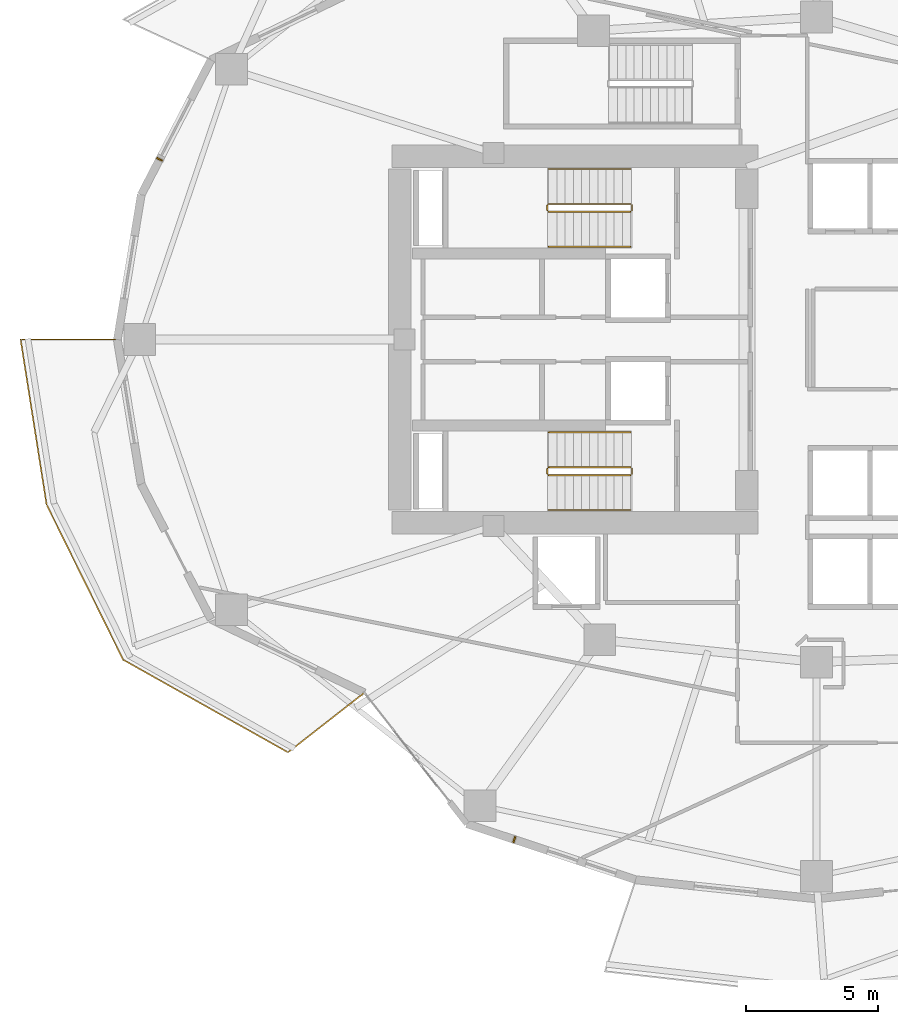
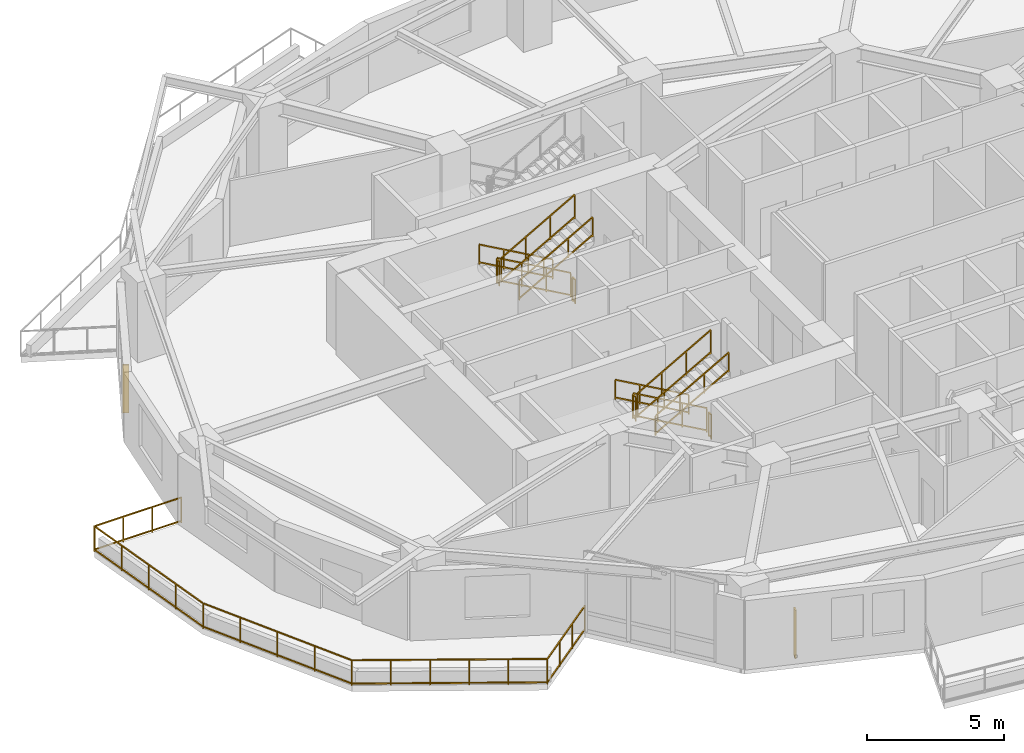
# One storey, part 15 of 18: 13 railings, 2 shading devices.
"""IFC4 building model written with IfcOpenShell, lengths in metres."""

import ifcopenshell
import ifcopenshell.guid

model = None  # the IFC model being written
_history = None  # IfcOwnerHistory: only IFC2X3 demands one
_inside = {}  # id of a spatial element -> (the spatial element, [elements in it])
_under = {}  # id of a project, library or spatial element -> (it, [spatial elements below it])
_declared = {}  # id of a project -> (the project, [libraries it declares])
_typed = {}  # id of a type object -> (the type object, [elements of that type])
_made_of = {}  # id of a material, layer set ... -> (it, [elements and type objects made of it])


def new_model(schema):
    """Start an empty IFC model of exactly this schema.

    Asked for "IFC4X3", IfcOpenShell would pick the latest addendum, in which some entities
    have other attributes; the version numbers below select the first issue.
    IFC2X3 requires an IfcOwnerHistory on every rooted entity: one is made here for all.
    """
    global model, _history
    if schema == "IFC4X3":
        model = ifcopenshell.file(schema_version=(4, 3, 0, 0))
    else:
        model = ifcopenshell.file(schema=schema)
    _inside.clear()
    _under.clear()
    _declared.clear()
    _typed.clear()
    _made_of.clear()
    _history = None
    if model.schema == "IFC2X3":
        org = make("IfcOrganization", Name="unknown")
        user = make(
            "IfcPersonAndOrganization",
            ThePerson=make("IfcPerson", FamilyName="unknown"),
            TheOrganization=org,
        )
        app = make(
            "IfcApplication",
            ApplicationDeveloper=org,
            Version="unknown",
            ApplicationFullName="unknown",
            ApplicationIdentifier="unknown",
        )
        _history = make(
            "IfcOwnerHistory",
            OwningUser=user,
            OwningApplication=app,
            ChangeAction="ADDED",
            CreationDate=0,
        )
    return model


def make(cls, **values):
    """One entity of the class cls with the attributes given. An attribute that is None is left unset."""
    return model.create_entity(
        cls, **{name: value for name, value in values.items() if value is not None}
    )


def rooted(cls, **values):
    """An entity with a GlobalId (a new one), such as an element, a storey or a relation."""
    return make(cls, GlobalId=ifcopenshell.guid.new(), OwnerHistory=_history, **values)


def si_unit(unit_type, name, prefix=None):
    """IfcSIUnit, for example si_unit("LENGTHUNIT", "METRE", prefix="MILLI")."""
    return make("IfcSIUnit", UnitType=unit_type, Prefix=prefix, Name=name)


def assignment(units):
    """IfcUnitAssignment: the units of a project."""
    return None if units is None else make("IfcUnitAssignment", Units=units)


def point(xyz):
    """IfcCartesianPoint."""
    return None if xyz is None else make("IfcCartesianPoint", Coordinates=xyz)


def direction(xyz):
    """IfcDirection."""
    return None if xyz is None else make("IfcDirection", DirectionRatios=xyz)


def frame(location, z_axis=None, x_axis=None):
    """IfcAxis2Placement3D, a coordinate frame: its origin and axes. An axis left out is left unset."""
    return make(
        "IfcAxis2Placement3D",
        Location=point(location),
        Axis=direction(z_axis),
        RefDirection=direction(x_axis),
    )


def frame_2d(location, x_axis=None):
    """IfcAxis2Placement2D, a coordinate frame in the plane: its origin and x axis."""
    return make(
        "IfcAxis2Placement2D", Location=point(location), RefDirection=direction(x_axis)
    )


def origin():
    """The frame at (0, 0, 0) with its axes left unset."""
    return frame((0.0, 0.0, 0.0))


def origin_2d():
    """The frame at (0, 0) in the plane with its x axis left unset."""
    return frame_2d((0.0, 0.0))


def place(relative_to, where):
    """IfcLocalPlacement: puts the frame where relative to a parent placement (None: the world)."""
    return make(
        "IfcLocalPlacement", PlacementRelTo=relative_to, RelativePlacement=where
    )


def context(
    kind, dimensions, precision=None, world=None, true_north=None, identifier=None
):
    """IfcGeometricRepresentationContext, for example the 3D "Model" context."""
    return make(
        "IfcGeometricRepresentationContext",
        ContextIdentifier=identifier,
        ContextType=kind,
        CoordinateSpaceDimension=dimensions,
        Precision=precision,
        WorldCoordinateSystem=world,
        TrueNorth=true_north,
    )


def subcontext(parent, identifier, kind, view, scale=None):
    """IfcGeometricRepresentationSubContext, for example "Body" below "Model"."""
    return make(
        "IfcGeometricRepresentationSubContext",
        ContextIdentifier=identifier,
        ContextType=kind,
        ParentContext=parent,
        TargetScale=scale,
        TargetView=view,
    )


def project(units=None, contexts=None):
    """IfcProject with its units and contexts."""
    return rooted(
        "IfcProject",
        Name="project",
        RepresentationContexts=contexts,
        UnitsInContext=assignment(units),
    )


def spatial(cls, under=None, at=None, **own):
    """A site, building, storey or space (cls), placed at a placement, below another one or the project."""
    s = rooted(cls, ObjectPlacement=at, **own)
    if under is not None:
        _under.setdefault(under.id(), (under, []))[1].append(s)
    return s


def profile(cls, at=None, kind="AREA", **sizes):
    """A parametric profile (cls). Its sizes go by their IFC names, for example OverallWidth=200.0."""
    return make(cls, ProfileType=kind, Position=at, **sizes)


def rectangle(**sizes):
    """IfcRectangleProfileDef."""
    return profile("IfcRectangleProfileDef", **sizes)


def extrude(swept, where, along, depth):
    """IfcExtrudedAreaSolid: the profile swept, set in the frame where, extruded along a direction by depth."""
    return make(
        "IfcExtrudedAreaSolid",
        SweptArea=swept,
        Position=where,
        ExtrudedDirection=direction(along),
        Depth=depth,
    )


def shape(context_of_items, identifier, shape_type, items):
    """IfcShapeRepresentation: the items that make up one representation, for example the "Body"."""
    return make(
        "IfcShapeRepresentation",
        ContextOfItems=context_of_items,
        RepresentationIdentifier=identifier,
        RepresentationType=shape_type,
        Items=items,
    )


def material(Name=None, Category=None):
    """IfcMaterial."""
    return make("IfcMaterial", Name=Name, Category=Category)


def made_of(thing, what):
    """Note that an element or type object is made of a material, layer set ...; save() writes the relation."""
    if what is not None:
        _made_of.setdefault(what.id(), (what, []))[1].append(thing)
    return thing


def type_object(cls, material=None, **own):
    """A type object (cls), such as IfcWallType, which elements share."""
    return made_of(rooted(cls, **own), material)


def element(
    cls,
    number,
    at=None,
    inside=None,
    cuts=None,
    type_object=None,
    material=None,
    context=None,
    identifier="Body",
    shape_type=None,
    held_by="IfcProductDefinitionShape",
    body=None,
    shapes=None,
    **own,
):
    """One element of the class cls, such as IfcWall. Its Tag is "e" and its number.

    at: its placement. inside: the storey or other place that contains it. cuts: it is an
    opening in that element (IfcRelVoidsElement). A single representation is given by context,
    identifier, shape_type and body (its items); several are given by shapes. held_by: the class
    of the entity that holds the representations. save() writes the other relations.
    """
    e = rooted(cls, Tag="e%d" % number, ObjectPlacement=at, **own)
    if body is not None:
        shapes = [shape(context, identifier, shape_type, body)]
    if shapes is not None:
        e.Representation = make(held_by, Representations=shapes)
    if inside is not None:
        _inside.setdefault(inside.id(), (inside, []))[1].append(e)
    if cuts is not None:
        rooted(
            "IfcRelVoidsElement", RelatingBuildingElement=cuts, RelatedOpeningElement=e
        )
    if type_object is not None:
        _typed.setdefault(type_object.id(), (type_object, []))[1].append(e)
    return made_of(e, material)


def aggregate(whole, parts):
    """IfcRelAggregates: a whole, such as a stair, and the parts it consists of."""
    return rooted("IfcRelAggregates", RelatingObject=whole, RelatedObjects=parts)


def save(model, path):
    """Write the relations noted so far, then the file.

    IfcRelAggregates (storeys below a building ...), IfcRelContainedInSpatialStructure (elements
    in a storey), IfcRelDefinesByType, IfcRelAssociatesMaterial and IfcRelDeclares: one each for
    every whole, place, type object, material and project.
    """
    for whole, parts in _under.values():
        aggregate(whole, parts)
    for where, things in _inside.values():
        rooted(
            "IfcRelContainedInSpatialStructure",
            RelatedElements=things,
            RelatingStructure=where,
        )
    for kind, things in _typed.values():
        rooted("IfcRelDefinesByType", RelatedObjects=things, RelatingType=kind)
    for what, things in _made_of.values():
        rooted("IfcRelAssociatesMaterial", RelatedObjects=things, RelatingMaterial=what)
    for by, libraries in _declared.values():
        rooted("IfcRelDeclares", RelatingContext=by, RelatedDefinitions=libraries)
    model.write(path)


model = new_model("IFC4")

# Units and contexts
model_context = context("Model", 3, precision=1e-05, world=origin(), true_north=direction((0.0, 1.0)))
body_context = subcontext(model_context, "Body", "Model", "MODEL_VIEW")
ifc_project = project(units=[si_unit("LENGTHUNIT", "METRE"), si_unit("AREAUNIT", "SQUARE_METRE"), si_unit("VOLUMEUNIT", "CUBIC_METRE"), si_unit("PLANEANGLEUNIT", "RADIAN"), si_unit("MASSUNIT", "GRAM", prefix="KILO")], contexts=[model_context])

# Site, building, storey
site_placement = place(None, origin())
site = spatial("IfcSite", under=ifc_project, at=site_placement, CompositionType="ELEMENT")
building_placement = place(site_placement, origin())
building = spatial("IfcBuilding", under=site, at=building_placement, Name="Kolvaren Gate Tower and Convention Centre", CompositionType="ELEMENT")
storey_placement = place(building_placement, frame((0.0, 0.0, 61.14990234375)))
storey = spatial("IfcBuildingStorey", under=building, at=storey_placement, Name="L14", CompositionType="ELEMENT", Elevation=61.14990234375)

# Railings
ifc_material_1 = material(Name="Brushed Stainless Steel Grade 316L", Category="steel")
railing_type_1 = type_object("IfcRailingType", Name="ARCH-RL-GUARD-1150", PredefinedType="GUARDRAIL", material=ifc_material_1)
railing_1_placement = place(storey_placement, frame((23.10009765625, 32.1298828125, 0.175048828125)))
element("IfcRailing", 1, at=railing_1_placement, inside=storey, type_object=railing_type_1, Name="L14 ST-T1 stair guard 1", PredefinedType="GUARDRAIL", context=body_context, shape_type="SweptSolid", body=[
    extrude(rectangle(XDim=0.048095703125, YDim=0.048095703125, at=origin_2d()), frame((0.0, 0.0, 1.076171875), z_axis=(-0.870830938388, 0.0, 0.491582624537), x_axis=(0.0, -1.0, 0.0)), (0.0, 0.0, 1.0), 3.559814453125),
    extrude(rectangle(XDim=0.048095703125, YDim=0.048095703125, at=origin_2d()), frame((0.0, 0.0, 0.083984375), z_axis=(-0.870830938388, 0.0, 0.491582624537), x_axis=(0.0, -1.0, 0.0)), (0.0, 0.0, 1.0), 3.559814453125),
    extrude(rectangle(XDim=0.0419921875, YDim=0.0419921875, at=origin_2d()), origin(), (0.0, 0.0, 1.0), 1.050048828125),
    extrude(rectangle(XDim=0.0419921875, YDim=0.0419921875, at=origin_2d()), frame((-3.10009765625, 0.0, 1.75)), (0.0, 0.0, 1.0), 1.050048828125),
    extrude(rectangle(XDim=0.0419921875, YDim=0.0419921875, at=origin_2d()), frame((-1.033447265625, 0.0, 0.583251953125)), (0.0, 0.0, 1.0), 1.050048828125),
    extrude(rectangle(XDim=0.0419921875, YDim=0.0419921875, at=origin_2d()), frame((-2.066650390625, 0.0, 1.166748046875)), (0.0, 0.0, 1.0), 1.050048828125),
])
railing_2_placement = place(storey_placement, frame((19.949951171875, 32.080078125, 1.925048828125)))
element("IfcRailing", 2, at=railing_2_placement, inside=storey, type_object=railing_type_1, Name="L14 ST-T1 stair guard 2", PredefinedType="GUARDRAIL", context=body_context, shape_type="SweptSolid", body=[
    extrude(rectangle(XDim=0.048095703125, YDim=0.048095703125, at=origin_2d()), frame((0.0, 0.0, 1.076171875), z_axis=(0.0, -1.0, 0.0), x_axis=(1.0, 0.0, 0.0)), (0.0, 0.0, 1.0), 0.2001953125),
    extrude(rectangle(XDim=0.048095703125, YDim=0.048095703125, at=origin_2d()), frame((0.0, 0.0, 0.083984375), z_axis=(0.0, -1.0, 0.0), x_axis=(1.0, 0.0, 0.0)), (0.0, 0.0, 1.0), 0.2001953125),
    extrude(rectangle(XDim=0.0419921875, YDim=0.0419921875, at=origin_2d()), origin(), (0.0, 0.0, 1.0), 1.050048828125),
    extrude(rectangle(XDim=0.0419921875, YDim=0.0419921875, at=origin_2d()), frame((0.0, -0.2001953125, 0.0)), (0.0, 0.0, 1.0), 1.050048828125),
])
railing_3_placement = place(storey_placement, frame((20.0, 31.830078125, 2.10009765625)))
element("IfcRailing", 3, at=railing_3_placement, inside=storey, type_object=railing_type_1, Name="L14 ST-T1 stair guard 3", PredefinedType="GUARDRAIL", context=body_context, shape_type="SweptSolid", body=[
    extrude(rectangle(XDim=0.048095703125, YDim=0.048095703125, at=origin_2d()), frame((0.0, 0.0, 1.076171875), z_axis=(0.870830938388, 0.0, 0.491582624537), x_axis=(0.0, 1.0, 0.0)), (0.0, 0.0, 1.0), 3.559814453125),
    extrude(rectangle(XDim=0.048095703125, YDim=0.048095703125, at=origin_2d()), frame((0.0, 0.0, 0.083984375), z_axis=(0.870830938388, 0.0, 0.491582624537), x_axis=(0.0, 1.0, 0.0)), (0.0, 0.0, 1.0), 3.559814453125),
    extrude(rectangle(XDim=0.0419921875, YDim=0.0419921875, at=origin_2d()), origin(), (0.0, 0.0, 1.0), 1.050048828125),
    extrude(rectangle(XDim=0.0419921875, YDim=0.0419921875, at=origin_2d()), frame((3.10009765625, 0.0, 1.75)), (0.0, 0.0, 1.0), 1.050048828125),
    extrude(rectangle(XDim=0.0419921875, YDim=0.0419921875, at=origin_2d()), frame((1.033447265625, 0.0, 0.583251953125)), (0.0, 0.0, 1.0), 1.050048828125),
    extrude(rectangle(XDim=0.0419921875, YDim=0.0419921875, at=origin_2d()), frame((2.066650390625, 0.0, 1.166748046875)), (0.0, 0.0, 1.0), 1.050048828125),
])
railing_4_placement = place(storey_placement, frame((23.14990234375, 32.080078125, 0.0)))
element("IfcRailing", 4, at=railing_4_placement, inside=storey, type_object=railing_type_1, Name="L14 ST-T1 stair guard 4", PredefinedType="GUARDRAIL", context=body_context, shape_type="SweptSolid", body=[
    extrude(rectangle(XDim=0.048095703125, YDim=0.048095703125, at=origin_2d()), frame((0.0, 0.0, 1.076171875), z_axis=(0.0, -1.0, 0.0), x_axis=(1.0, 0.0, 0.0)), (0.0, 0.0, 1.0), 0.2001953125),
    extrude(rectangle(XDim=0.048095703125, YDim=0.048095703125, at=origin_2d()), frame((0.0, 0.0, 0.083984375), z_axis=(0.0, -1.0, 0.0), x_axis=(1.0, 0.0, 0.0)), (0.0, 0.0, 1.0), 0.2001953125),
    extrude(rectangle(XDim=0.0419921875, YDim=0.0419921875, at=origin_2d()), origin(), (0.0, 0.0, 1.0), 1.050048828125),
    extrude(rectangle(XDim=0.0419921875, YDim=0.0419921875, at=origin_2d()), frame((0.0, -0.2001953125, 0.0)), (0.0, 0.0, 1.0), 1.050048828125),
])
railing_5_placement = place(storey_placement, frame((23.10009765625, 22.169921875, 0.175048828125)))
element("IfcRailing", 5, at=railing_5_placement, inside=storey, type_object=railing_type_1, Name="L14 ST-T2 stair guard 1", PredefinedType="GUARDRAIL", context=body_context, shape_type="SweptSolid", body=[
    extrude(rectangle(XDim=0.048095703125, YDim=0.048095703125, at=origin_2d()), frame((0.0, 0.0, 1.076171875), z_axis=(-0.870830938388, 0.0, 0.491582624537), x_axis=(0.0, -1.0, 0.0)), (0.0, 0.0, 1.0), 3.559814453125),
    extrude(rectangle(XDim=0.048095703125, YDim=0.048095703125, at=origin_2d()), frame((0.0, 0.0, 0.083984375), z_axis=(-0.870830938388, 0.0, 0.491582624537), x_axis=(0.0, -1.0, 0.0)), (0.0, 0.0, 1.0), 3.559814453125),
    extrude(rectangle(XDim=0.0419921875, YDim=0.0419921875, at=origin_2d()), origin(), (0.0, 0.0, 1.0), 1.050048828125),
    extrude(rectangle(XDim=0.0419921875, YDim=0.0419921875, at=origin_2d()), frame((-3.10009765625, 0.0, 1.75)), (0.0, 0.0, 1.0), 1.050048828125),
    extrude(rectangle(XDim=0.0419921875, YDim=0.0419921875, at=origin_2d()), frame((-1.033447265625, 0.0, 0.583251953125)), (0.0, 0.0, 1.0), 1.050048828125),
    extrude(rectangle(XDim=0.0419921875, YDim=0.0419921875, at=origin_2d()), frame((-2.066650390625, 0.0, 1.166748046875)), (0.0, 0.0, 1.0), 1.050048828125),
])
railing_6_placement = place(storey_placement, frame((19.949951171875, 22.1201171875, 1.925048828125)))
element("IfcRailing", 6, at=railing_6_placement, inside=storey, type_object=railing_type_1, Name="L14 ST-T2 stair guard 2", PredefinedType="GUARDRAIL", context=body_context, shape_type="SweptSolid", body=[
    extrude(rectangle(XDim=0.048095703125, YDim=0.048095703125, at=origin_2d()), frame((0.0, 0.0, 1.076171875), z_axis=(0.0, -1.0, 0.0), x_axis=(1.0, 0.0, 0.0)), (0.0, 0.0, 1.0), 0.2001953125),
    extrude(rectangle(XDim=0.048095703125, YDim=0.048095703125, at=origin_2d()), frame((0.0, 0.0, 0.083984375), z_axis=(0.0, -1.0, 0.0), x_axis=(1.0, 0.0, 0.0)), (0.0, 0.0, 1.0), 0.2001953125),
    extrude(rectangle(XDim=0.0419921875, YDim=0.0419921875, at=origin_2d()), origin(), (0.0, 0.0, 1.0), 1.050048828125),
    extrude(rectangle(XDim=0.0419921875, YDim=0.0419921875, at=origin_2d()), frame((0.0, -0.2001953125, 0.0)), (0.0, 0.0, 1.0), 1.050048828125),
])
railing_7_placement = place(storey_placement, frame((20.0, 21.8701171875, 2.10009765625)))
element("IfcRailing", 7, at=railing_7_placement, inside=storey, type_object=railing_type_1, Name="L14 ST-T2 stair guard 3", PredefinedType="GUARDRAIL", context=body_context, shape_type="SweptSolid", body=[
    extrude(rectangle(XDim=0.048095703125, YDim=0.048095703125, at=origin_2d()), frame((0.0, 0.0, 1.076171875), z_axis=(0.870830938388, 0.0, 0.491582624537), x_axis=(0.0, 1.0, 0.0)), (0.0, 0.0, 1.0), 3.559814453125),
    extrude(rectangle(XDim=0.048095703125, YDim=0.048095703125, at=origin_2d()), frame((0.0, 0.0, 0.083984375), z_axis=(0.870830938388, 0.0, 0.491582624537), x_axis=(0.0, 1.0, 0.0)), (0.0, 0.0, 1.0), 3.559814453125),
    extrude(rectangle(XDim=0.0419921875, YDim=0.0419921875, at=origin_2d()), origin(), (0.0, 0.0, 1.0), 1.050048828125),
    extrude(rectangle(XDim=0.0419921875, YDim=0.0419921875, at=origin_2d()), frame((3.10009765625, 0.0, 1.75)), (0.0, 0.0, 1.0), 1.050048828125),
    extrude(rectangle(XDim=0.0419921875, YDim=0.0419921875, at=origin_2d()), frame((1.033447265625, 0.0, 0.583251953125)), (0.0, 0.0, 1.0), 1.050048828125),
    extrude(rectangle(XDim=0.0419921875, YDim=0.0419921875, at=origin_2d()), frame((2.066650390625, 0.0, 1.166748046875)), (0.0, 0.0, 1.0), 1.050048828125),
])
railing_8_placement = place(storey_placement, frame((23.14990234375, 22.1201171875, 0.0)))
element("IfcRailing", 8, at=railing_8_placement, inside=storey, type_object=railing_type_1, Name="L14 ST-T2 stair guard 4", PredefinedType="GUARDRAIL", context=body_context, shape_type="SweptSolid", body=[
    extrude(rectangle(XDim=0.048095703125, YDim=0.048095703125, at=origin_2d()), frame((0.0, 0.0, 1.076171875), z_axis=(0.0, -1.0, 0.0), x_axis=(1.0, 0.0, 0.0)), (0.0, 0.0, 1.0), 0.2001953125),
    extrude(rectangle(XDim=0.048095703125, YDim=0.048095703125, at=origin_2d()), frame((0.0, 0.0, 0.083984375), z_axis=(0.0, -1.0, 0.0), x_axis=(1.0, 0.0, 0.0)), (0.0, 0.0, 1.0), 0.2001953125),
    extrude(rectangle(XDim=0.0419921875, YDim=0.0419921875, at=origin_2d()), origin(), (0.0, 0.0, 1.0), 1.050048828125),
    extrude(rectangle(XDim=0.0419921875, YDim=0.0419921875, at=origin_2d()), frame((0.0, -0.2001953125, 0.0)), (0.0, 0.0, 1.0), 1.050048828125),
])
railing_9_placement = place(storey_placement, frame((3.6875, 27.0, 0.0)))
element("IfcRailing", 9, at=railing_9_placement, inside=storey, type_object=railing_type_1, Name="Tower L14 Terrace Perimeter Guardrail GR-2", PredefinedType="GUARDRAIL", context=body_context, shape_type="SweptSolid", body=[
    extrude(rectangle(XDim=0.048095703125, YDim=0.048095703125, at=origin_2d()), frame((-0.028076171875, 0.0, 1.1259765625), z_axis=(-1.0, 0.0, 0.0), x_axis=(0.0, -1.0, 0.0)), (0.0, 0.0, 1.0), 3.603759765625),
    extrude(rectangle(XDim=0.048095703125, YDim=0.048095703125, at=origin_2d()), frame((-0.028076171875, 0.0, 0.083984375), z_axis=(-1.0, 0.0, 0.0), x_axis=(0.0, -1.0, 0.0)), (0.0, 0.0, 1.0), 3.603759765625),
    extrude(rectangle(XDim=0.048095703125, YDim=0.048095703125, at=origin_2d()), frame((-3.655517578125, -0.027587890625, 1.1259765625), z_axis=(0.155418843943, -0.98784866399, 0.0), x_axis=(0.98784866399, 0.155418843943, 0.0)), (0.0, 0.0, 1.0), 6.261962890625),
    extrude(rectangle(XDim=0.048095703125, YDim=0.048095703125, at=origin_2d()), frame((-3.655517578125, -0.027587890625, 0.083984375), z_axis=(0.155418843943, -0.98784866399, 0.0), x_axis=(0.98784866399, 0.155418843943, 0.0)), (0.0, 0.0, 1.0), 6.261962890625),
    extrude(rectangle(XDim=0.048095703125, YDim=0.048095703125, at=origin_2d()), frame((-2.66552734375, -6.266357421875, 1.1259765625), z_axis=(0.442686636348, -0.89667638644, 0.0), x_axis=(0.89667638644, 0.442686636348, 0.0)), (0.0, 0.0, 1.0), 6.488525390625),
    extrude(rectangle(XDim=0.048095703125, YDim=0.048095703125, at=origin_2d()), frame((-2.66552734375, -6.266357421875, 0.083984375), z_axis=(0.442686636348, -0.89667638644, 0.0), x_axis=(0.89667638644, 0.442686636348, 0.0)), (0.0, 0.0, 1.0), 6.488525390625),
    extrude(rectangle(XDim=0.048095703125, YDim=0.048095703125, at=origin_2d()), frame((0.24365234375, -12.123291015625, 1.1259765625), z_axis=(0.871783301661, -0.489891697159, 0.0), x_axis=(0.489891697159, 0.871783301661, 0.0)), (0.0, 0.0, 1.0), 7.096435546875),
    extrude(rectangle(XDim=0.048095703125, YDim=0.048095703125, at=origin_2d()), frame((0.24365234375, -12.123291015625, 0.083984375), z_axis=(0.871783301661, -0.489891697159, 0.0), x_axis=(0.489891697159, 0.871783301661, 0.0)), (0.0, 0.0, 1.0), 7.096435546875),
    extrude(rectangle(XDim=0.048095703125, YDim=0.048095703125, at=origin_2d()), frame((6.476806640625, -15.59619140625, 1.1259765625), z_axis=(0.787988976981, 0.61568934712, 0.0), x_axis=(-0.61568934712, 0.787988976981, 0.0)), (0.0, 0.0, 1.0), 3.60400390625),
    extrude(rectangle(XDim=0.048095703125, YDim=0.048095703125, at=origin_2d()), frame((6.476806640625, -15.59619140625, 0.083984375), z_axis=(0.787988976981, 0.61568934712, 0.0), x_axis=(-0.61568934712, 0.787988976981, 0.0)), (0.0, 0.0, 1.0), 3.60400390625),
    extrude(rectangle(XDim=0.0419921875, YDim=0.0419921875, at=origin_2d()), origin(), (0.0, 0.0, 1.0), 1.14990234375),
    extrude(rectangle(XDim=0.0419921875, YDim=0.0419921875, at=origin_2d()), frame((-3.659912109375, 0.0, 0.0)), (0.0, 0.0, 1.0), 1.14990234375),
    extrude(rectangle(XDim=0.0419921875, YDim=0.0419921875, at=origin_2d()), frame((-1.219970703125, 0.0, 0.0)), (0.0, 0.0, 1.0), 1.099853515625),
    extrude(rectangle(XDim=0.0419921875, YDim=0.0419921875, at=origin_2d()), frame((-2.43994140625, 0.0, 0.0)), (0.0, 0.0, 1.0), 1.099853515625),
    extrude(rectangle(XDim=0.0419921875, YDim=0.0419921875, at=origin_2d()), frame((-2.677978515625, -6.2412109375, 0.0)), (0.0, 0.0, 1.0), 1.14990234375),
    extrude(rectangle(XDim=0.0419921875, YDim=0.0419921875, at=origin_2d()), frame((-3.41455078125, -1.560302734375, 0.0)), (0.0, 0.0, 1.0), 1.099853515625),
    extrude(rectangle(XDim=0.0419921875, YDim=0.0419921875, at=origin_2d()), frame((-3.1689453125, -3.12060546875, 0.0)), (0.0, 0.0, 1.0), 1.099853515625),
    extrude(rectangle(XDim=0.0419921875, YDim=0.0419921875, at=origin_2d()), frame((-2.92333984375, -4.680908203125, 0.0)), (0.0, 0.0, 1.0), 1.099853515625),
    extrude(rectangle(XDim=0.0419921875, YDim=0.0419921875, at=origin_2d()), frame((0.21923828125, -12.109619140625, 0.0)), (0.0, 0.0, 1.0), 1.14990234375),
    extrude(rectangle(XDim=0.0419921875, YDim=0.0419921875, at=origin_2d()), frame((-1.95361328125, -7.708251953125, 0.0)), (0.0, 0.0, 1.0), 1.099853515625),
    extrude(rectangle(XDim=0.0419921875, YDim=0.0419921875, at=origin_2d()), frame((-1.2294921875, -9.17529296875, 0.0)), (0.0, 0.0, 1.0), 1.099853515625),
    extrude(rectangle(XDim=0.0419921875, YDim=0.0419921875, at=origin_2d()), frame((-0.505126953125, -10.642578125, 0.0)), (0.0, 0.0, 1.0), 1.099853515625),
    extrude(rectangle(XDim=0.0419921875, YDim=0.0419921875, at=origin_2d()), frame((6.45458984375, -15.613525390625, 0.0)), (0.0, 0.0, 1.0), 1.14990234375),
    extrude(rectangle(XDim=0.0419921875, YDim=0.0419921875, at=origin_2d()), frame((1.46630859375, -12.810302734375, 0.0)), (0.0, 0.0, 1.0), 1.099853515625),
    extrude(rectangle(XDim=0.0419921875, YDim=0.0419921875, at=origin_2d()), frame((2.71337890625, -13.51123046875, 0.0)), (0.0, 0.0, 1.0), 1.099853515625),
    extrude(rectangle(XDim=0.0419921875, YDim=0.0419921875, at=origin_2d()), frame((3.96044921875, -14.2119140625, 0.0)), (0.0, 0.0, 1.0), 1.099853515625),
    extrude(rectangle(XDim=0.0419921875, YDim=0.0419921875, at=origin_2d()), frame((5.20751953125, -14.912841796875, 0.0)), (0.0, 0.0, 1.0), 1.099853515625),
    extrude(rectangle(XDim=0.0419921875, YDim=0.0419921875, at=origin_2d()), frame((9.338623046875, -13.360107421875, 0.0)), (0.0, 0.0, 1.0), 1.14990234375),
    extrude(rectangle(XDim=0.0419921875, YDim=0.0419921875, at=origin_2d()), frame((7.416015625, -14.8623046875, 0.0)), (0.0, 0.0, 1.0), 1.099853515625),
    extrude(rectangle(XDim=0.0419921875, YDim=0.0419921875, at=origin_2d()), frame((8.377197265625, -14.111328125, 0.0)), (0.0, 0.0, 1.0), 1.099853515625),
])
railing_type_2 = type_object("IfcRailingType", Name="ARCH-RL-HANDRAIL-920", PredefinedType="HANDRAIL", material=ifc_material_1)
railing_10_placement = place(storey_placement, frame((23.10009765625, 33.449951171875, 0.175048828125)))
element("IfcRailing", 10, at=railing_10_placement, inside=storey, type_object=railing_type_2, Name="L14 ST-T1 stair handrail 1", PredefinedType="HANDRAIL", context=body_context, shape_type="SweptSolid", body=[
    extrude(rectangle(XDim=0.048095703125, YDim=0.048095703125, at=origin_2d()), frame((0.0, 0.0, 0.8759765625), z_axis=(-0.870830938388, 0.0, 0.491582624537), x_axis=(0.0, -1.0, 0.0)), (0.0, 0.0, 1.0), 3.559814453125),
    extrude(rectangle(XDim=0.048095703125, YDim=0.048095703125, at=origin_2d()), frame((0.0, 0.0, 0.083984375), z_axis=(-0.870830938388, 0.0, 0.491582624537), x_axis=(0.0, -1.0, 0.0)), (0.0, 0.0, 1.0), 3.559814453125),
    extrude(rectangle(XDim=0.0419921875, YDim=0.0419921875, at=origin_2d()), origin(), (0.0, 0.0, 1.0), 0.849853515625),
    extrude(rectangle(XDim=0.0419921875, YDim=0.0419921875, at=origin_2d()), frame((-3.10009765625, 0.0, 1.75)), (0.0, 0.0, 1.0), 0.849853515625),
    extrude(rectangle(XDim=0.0419921875, YDim=0.0419921875, at=origin_2d()), frame((-1.033447265625, 0.0, 0.583251953125)), (0.0, 0.0, 1.0), 0.849853515625),
    extrude(rectangle(XDim=0.0419921875, YDim=0.0419921875, at=origin_2d()), frame((-2.066650390625, 0.0, 1.166748046875)), (0.0, 0.0, 1.0), 0.849853515625),
])
railing_11_placement = place(storey_placement, frame((20.0, 30.510009765625, 2.10009765625)))
element("IfcRailing", 11, at=railing_11_placement, inside=storey, type_object=railing_type_2, Name="L14 ST-T1 stair handrail 2", PredefinedType="HANDRAIL", context=body_context, shape_type="SweptSolid", body=[
    extrude(rectangle(XDim=0.048095703125, YDim=0.048095703125, at=origin_2d()), frame((0.0, 0.0, 0.8759765625), z_axis=(0.870830938388, 0.0, 0.491582624537), x_axis=(0.0, 1.0, 0.0)), (0.0, 0.0, 1.0), 3.559814453125),
    extrude(rectangle(XDim=0.048095703125, YDim=0.048095703125, at=origin_2d()), frame((0.0, 0.0, 0.083984375), z_axis=(0.870830938388, 0.0, 0.491582624537), x_axis=(0.0, 1.0, 0.0)), (0.0, 0.0, 1.0), 3.559814453125),
    extrude(rectangle(XDim=0.0419921875, YDim=0.0419921875, at=origin_2d()), origin(), (0.0, 0.0, 1.0), 0.849853515625),
    extrude(rectangle(XDim=0.0419921875, YDim=0.0419921875, at=origin_2d()), frame((3.10009765625, 0.0, 1.75)), (0.0, 0.0, 1.0), 0.849853515625),
    extrude(rectangle(XDim=0.0419921875, YDim=0.0419921875, at=origin_2d()), frame((1.033447265625, 0.0, 0.583251953125)), (0.0, 0.0, 1.0), 0.849853515625),
    extrude(rectangle(XDim=0.0419921875, YDim=0.0419921875, at=origin_2d()), frame((2.066650390625, 0.0, 1.166748046875)), (0.0, 0.0, 1.0), 0.849853515625),
])
railing_12_placement = place(storey_placement, frame((23.10009765625, 23.489990234375, 0.175048828125)))
element("IfcRailing", 12, at=railing_12_placement, inside=storey, type_object=railing_type_2, Name="L14 ST-T2 stair handrail 1", PredefinedType="HANDRAIL", context=body_context, shape_type="SweptSolid", body=[
    extrude(rectangle(XDim=0.048095703125, YDim=0.048095703125, at=origin_2d()), frame((0.0, 0.0, 0.8759765625), z_axis=(-0.870830938388, 0.0, 0.491582624537), x_axis=(0.0, -1.0, 0.0)), (0.0, 0.0, 1.0), 3.559814453125),
    extrude(rectangle(XDim=0.048095703125, YDim=0.048095703125, at=origin_2d()), frame((0.0, 0.0, 0.083984375), z_axis=(-0.870830938388, 0.0, 0.491582624537), x_axis=(0.0, -1.0, 0.0)), (0.0, 0.0, 1.0), 3.559814453125),
    extrude(rectangle(XDim=0.0419921875, YDim=0.0419921875, at=origin_2d()), origin(), (0.0, 0.0, 1.0), 0.849853515625),
    extrude(rectangle(XDim=0.0419921875, YDim=0.0419921875, at=origin_2d()), frame((-3.10009765625, 0.0, 1.75)), (0.0, 0.0, 1.0), 0.849853515625),
    extrude(rectangle(XDim=0.0419921875, YDim=0.0419921875, at=origin_2d()), frame((-1.033447265625, 0.0, 0.583251953125)), (0.0, 0.0, 1.0), 0.849853515625),
    extrude(rectangle(XDim=0.0419921875, YDim=0.0419921875, at=origin_2d()), frame((-2.066650390625, 0.0, 1.166748046875)), (0.0, 0.0, 1.0), 0.849853515625),
])
railing_13_placement = place(storey_placement, frame((20.0, 20.550048828125, 2.10009765625)))
element("IfcRailing", 13, at=railing_13_placement, inside=storey, type_object=railing_type_2, Name="L14 ST-T2 stair handrail 2", PredefinedType="HANDRAIL", context=body_context, shape_type="SweptSolid", body=[
    extrude(rectangle(XDim=0.048095703125, YDim=0.048095703125, at=origin_2d()), frame((0.0, 0.0, 0.8759765625), z_axis=(0.870830938388, 0.0, 0.491582624537), x_axis=(0.0, 1.0, 0.0)), (0.0, 0.0, 1.0), 3.559814453125),
    extrude(rectangle(XDim=0.048095703125, YDim=0.048095703125, at=origin_2d()), frame((0.0, 0.0, 0.083984375), z_axis=(0.870830938388, 0.0, 0.491582624537), x_axis=(0.0, 1.0, 0.0)), (0.0, 0.0, 1.0), 3.559814453125),
    extrude(rectangle(XDim=0.0419921875, YDim=0.0419921875, at=origin_2d()), origin(), (0.0, 0.0, 1.0), 0.849853515625),
    extrude(rectangle(XDim=0.0419921875, YDim=0.0419921875, at=origin_2d()), frame((3.10009765625, 0.0, 1.75)), (0.0, 0.0, 1.0), 0.849853515625),
    extrude(rectangle(XDim=0.0419921875, YDim=0.0419921875, at=origin_2d()), frame((1.033447265625, 0.0, 0.583251953125)), (0.0, 0.0, 1.0), 0.849853515625),
    extrude(rectangle(XDim=0.0419921875, YDim=0.0419921875, at=origin_2d()), frame((2.066650390625, 0.0, 1.166748046875)), (0.0, 0.0, 1.0), 0.849853515625),
])

# Shading devices
ifc_material_2 = material(Name="Kiln-Fired Bogota Terracotta Ceramic Louvre Profile", Category="masonry")
shading_device_type = type_object("IfcShadingDeviceType", Name="ARCH-SHD-FIN-180", PredefinedType="JALOUSIE", material=ifc_material_2)
for number, where, z_axis, x_axis, name in (
    (14, (5.283447265625, 33.816650390625, 0.22021484375), (0.0, 0.0, 1.0), (0.45980150925, 0.888021718254, 0.0), "Ceramic Vertical Brise-Soleil Fin FN-L14-10"),
    (15, (18.7001953125, 8.089111328125, 0.22021484375), (0.0, 0.0, 1.0), (0.949241728595, -0.314547517385, 0.0), "Ceramic Vertical Brise-Soleil Fin FN-L14-16"),
):
    element("IfcShadingDevice", number, at=place(storey_placement, frame(where, z_axis=z_axis, x_axis=x_axis)), inside=storey, type_object=shading_device_type, Name=name, PredefinedType="JALOUSIE", context=body_context, shape_type="SweptSolid", body=[
        extrude(rectangle(XDim=0.06005859375, YDim=0.239990234375, at=origin_2d()), origin(), (0.0, 0.0, 1.0), 2.14990234375),
    ])

save(model, "model.ifc")
